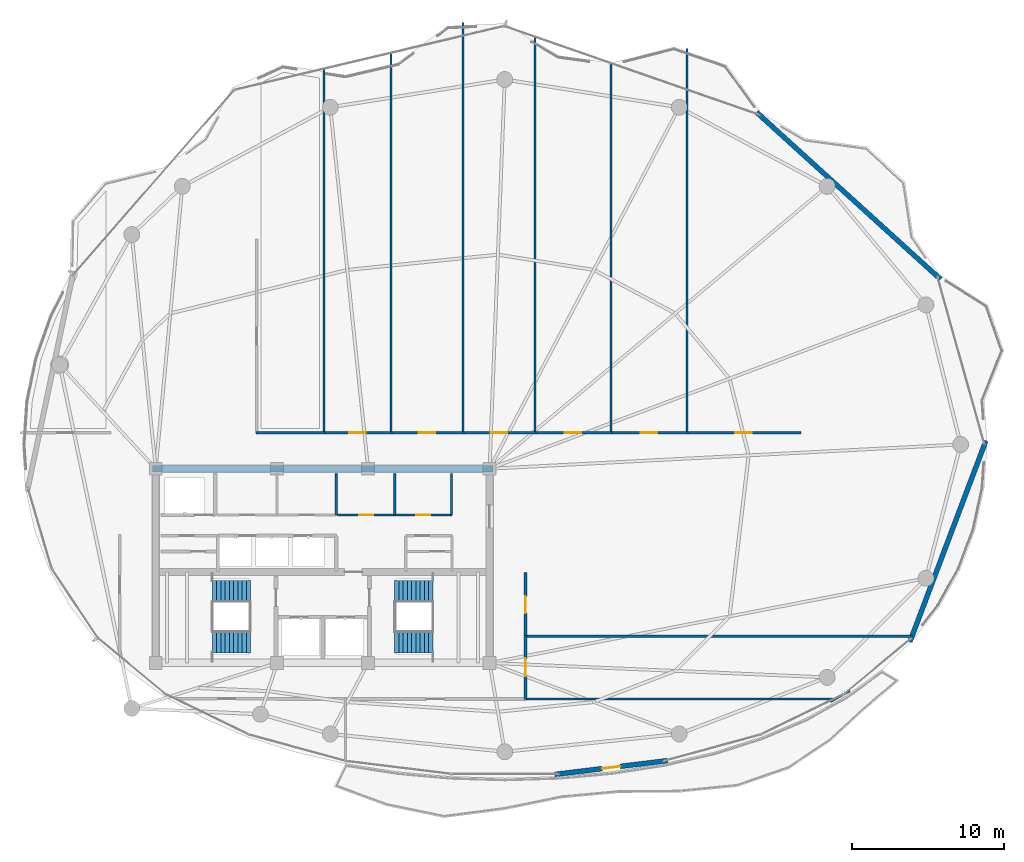
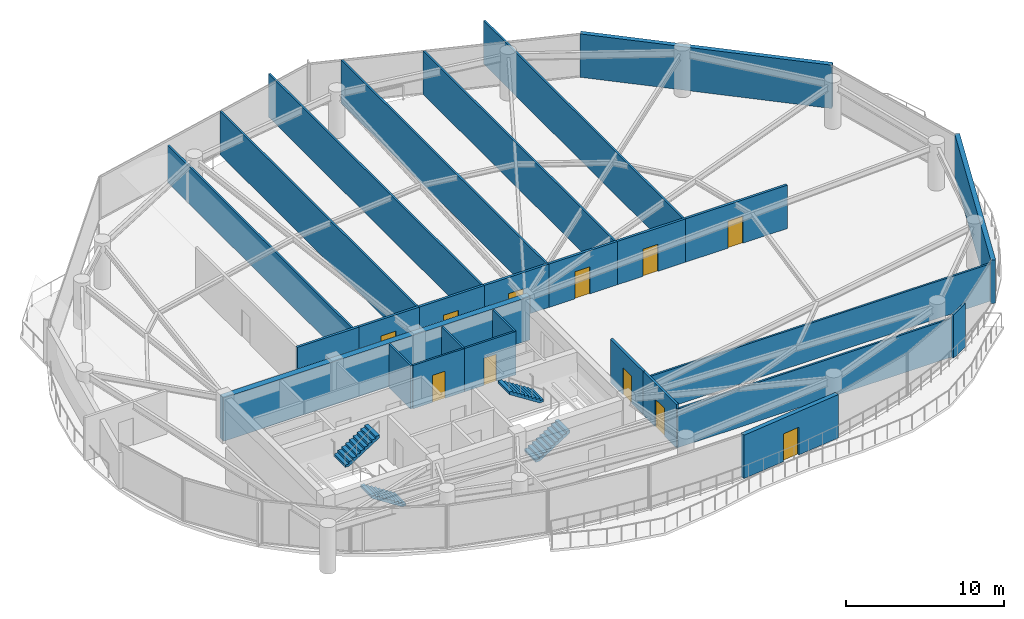
# One storey, part 24 of 28: 27 walls, 11 doors, 4 stair flights, 11 openings, 2 elements without a shape of their own.
"""IFC4 building model written with IfcOpenShell, lengths in metres."""

from ifc_helpers import new_model, si_unit, direction, frame, frame_2d, origin, place, context, subcontext, project, spatial, polyline, rectangle, outline, extrude, material, layer, layer_set, type_object, element, fill, aggregate, save


model = new_model("IFC4")

# Units and contexts
model_context = context("Model", 3, precision=1e-05, world=origin(), true_north=direction((0.0, 1.0)))
body_context = subcontext(model_context, "Body", "Model", "MODEL_VIEW")
ifc_project = project(units=[si_unit("LENGTHUNIT", "METRE"), si_unit("AREAUNIT", "SQUARE_METRE"), si_unit("VOLUMEUNIT", "CUBIC_METRE"), si_unit("PLANEANGLEUNIT", "RADIAN"), si_unit("MASSUNIT", "GRAM", prefix="KILO")], contexts=[model_context])

# Site, building, storey
site_placement = place(None, origin())
site = spatial("IfcSite", under=ifc_project, at=site_placement, CompositionType="ELEMENT")
building_placement = place(site_placement, origin())
building = spatial("IfcBuilding", under=site, at=building_placement, Name="Kazevale Care Tower and Concert Hall", CompositionType="ELEMENT")
storey_placement = place(building_placement, frame((0.0, 0.0, 246.0)))
storey = spatial("IfcBuildingStorey", under=building, at=storey_placement, Name="L65", CompositionType="ELEMENT", Elevation=246.0)

# Wall
ifc_material_1 = material(Name="Acoustic Gypsum on Steel Stud", Category="steel")
ifc_layer_1 = layer(ifc_material_1, 0.139892578125)
ifc_layer_set_1 = layer_set([ifc_layer_1], Name="Acoustic Gypsum on Steel Stud")
wall_type_1 = type_object("IfcWallType", Name="Acoustic Care & Suite Partition 140", PredefinedType="PARTITIONING", material=ifc_layer_set_1)
wall_1_placement = place(storey_placement, frame((33.89990234375, 33.35009765625, 0.0), z_axis=(0.0, 0.0, 1.0), x_axis=(0.0, 1.0, 0.0)))
element("IfcWall", 1, at=wall_1_placement, inside=storey, type_object=wall_type_1, Name="wall:L65:c_rpl_e", PredefinedType="PARTITIONING", context=body_context, shape_type="SweptSolid", body=[
    extrude(rectangle(XDim=2.75, YDim=0.139892578125, at=frame_2d((1.375, 0.0))), origin(), (0.0, 0.0, 1.0), 3.360107421875),
])

# Wall, opening, door
wall_2_placement = place(storey_placement, frame((33.97998046875, 33.35009765625, 0.0), z_axis=(0.0, 0.0, 1.0), x_axis=(1.0, 0.0, 0.0)))
wall_2 = element("IfcWall", 2, at=wall_2_placement, inside=storey, type_object=wall_type_1, Name="wall:L65:c_rpm1_s", PredefinedType="PARTITIONING", context=body_context, shape_type="SweptSolid", body=[
    extrude(rectangle(XDim=3.77001953125, YDim=0.139892578125, at=frame_2d((1.885009765625, 0.0))), origin(), (0.0, 0.0, 1.0), 3.360107421875),
])
opening_1_placement = place(wall_2_placement, frame((1.425048828125, 0.0, 0.0)))
opening_1 = element("IfcOpeningElement", 3, at=opening_1_placement, cuts=wall_2, Name="Opening ID-900", PredefinedType="OPENING", context=body_context, shape_type="SweptSolid", body=[
    extrude(rectangle(XDim=0.919921875, YDim=2.10009765625, at=frame_2d((0.4599609375, 1.050048828125))), frame((0.0, 0.079833984375, 0.0), z_axis=(0.0, -1.0, 0.0), x_axis=(1.0, 0.0, 0.0)), (0.0, 0.0, 1.0), 0.159912109375),
])
ifc_material_2 = material(Name="Oak Timber Fire Leaf", Category="wood")
door_type_1 = type_object("IfcDoorType", Name="Bathroom & Service Door 920x2100", OperationType="NOTDEFINED", PredefinedType="DOOR", material=ifc_material_2)
door_1_placement = place(opening_1_placement, origin())
door_1 = element("IfcDoor", 4, at=door_1_placement, inside=storey, type_object=door_type_1, Name="door:L65:d_rpm1", OperationType="SINGLE_SWING_LEFT", OverallHeight=2.10009765625, OverallWidth=0.919921875, PredefinedType="DOOR", context=body_context, shape_type="SweptSolid", body=[
    extrude(rectangle(XDim=0.919921875, YDim=2.10009765625, at=frame_2d((0.4599609375, 1.050048828125))), frame((0.0, 0.02490234375, 0.0), z_axis=(0.0, -1.0, 0.0), x_axis=(1.0, 0.0, 0.0)), (0.0, 0.0, 1.0), 0.050048828125),
])
fill(opening_1, door_1)

wall_3_placement = place(storey_placement, frame((37.75, 33.35009765625, 0.0), z_axis=(0.0, 0.0, 1.0), x_axis=(1.0, 0.0, 0.0)))
wall_3 = element("IfcWall", 5, at=wall_3_placement, inside=storey, type_object=wall_type_1, Name="wall:L65:c_rpm2_s", PredefinedType="PARTITIONING", context=body_context, shape_type="SweptSolid", body=[
    extrude(rectangle(XDim=3.77001953125, YDim=0.139892578125, at=frame_2d((1.885009765625, 0.0))), origin(), (0.0, 0.0, 1.0), 3.360107421875),
])
opening_2_placement = place(wall_3_placement, frame((1.425048828125, 0.0, 0.0)))
opening_2 = element("IfcOpeningElement", 6, at=opening_2_placement, cuts=wall_3, Name="Opening ID-900", PredefinedType="OPENING", context=body_context, shape_type="SweptSolid", body=[
    extrude(rectangle(XDim=0.919921875, YDim=2.10009765625, at=frame_2d((0.4599609375, 1.050048828125))), frame((0.0, 0.079833984375, 0.0), z_axis=(0.0, -1.0, 0.0), x_axis=(1.0, 0.0, 0.0)), (0.0, 0.0, 1.0), 0.159912109375),
])
door_2_placement = place(opening_2_placement, origin())
door_2 = element("IfcDoor", 7, at=door_2_placement, inside=storey, type_object=door_type_1, Name="door:L65:d_rpm2", OperationType="SINGLE_SWING_RIGHT", OverallHeight=2.10009765625, OverallWidth=0.919921875, PredefinedType="DOOR", context=body_context, shape_type="SweptSolid", body=[
    extrude(rectangle(XDim=0.919921875, YDim=2.10009765625, at=frame_2d((0.4599609375, 1.050048828125))), frame((0.0, 0.02490234375, 0.0), z_axis=(0.0, -1.0, 0.0), x_axis=(1.0, 0.0, 0.0)), (0.0, 0.0, 1.0), 0.050048828125),
])
fill(opening_2, door_2)

# Walls
for number, where, z_axis, x_axis, name in (
    (8, (37.75, 33.35009765625, 0.0), (0.0, 0.0, 1.0), (0.0, 1.0, 0.0), "wall:L65:c_rpm_m"),
    (9, (41.5, 33.35009765625, 0.0), (0.0, 0.0, 1.0), (0.0, 1.0, 0.0), "wall:L65:c_rpm_e"),
):
    element("IfcWall", number, at=place(storey_placement, frame(where, z_axis=z_axis, x_axis=x_axis)), inside=storey, type_object=wall_type_1, Name=name, PredefinedType="PARTITIONING", context=body_context, shape_type="SweptSolid", body=[
        extrude(rectangle(XDim=2.75, YDim=0.139892578125, at=frame_2d((1.375, 0.0))), origin(), (0.0, 0.0, 1.0), 3.360107421875),
    ])
wall_4_placement = place(storey_placement, frame((33.080078125, 62.77197265625, 0.0), z_axis=(0.0, 0.0, 1.0), x_axis=(0.0, -1.0, 0.0)))
element("IfcWall", 10, at=wall_4_placement, inside=storey, type_object=wall_type_1, Name="wall:L65:auto_015", PredefinedType="PARTITIONING", context=body_context, shape_type="SweptSolid", body=[
    extrude(rectangle(XDim=24.02685546875, YDim=0.139892578125, at=frame_2d((12.013427734375, 0.0))), origin(), (0.0, 0.0, 1.0), 2.889892578125),
])
wall_5_placement = place(storey_placement, frame((37.5, 63.792724609375, 0.0), z_axis=(0.0, 0.0, 1.0), x_axis=(0.0, -1.0, 0.0)))
element("IfcWall", 11, at=wall_5_placement, inside=storey, type_object=wall_type_1, Name="wall:L65:auto_016", PredefinedType="PARTITIONING", context=body_context, shape_type="SweptSolid", body=[
    extrude(rectangle(XDim=25.047607421875, YDim=0.139892578125, at=frame_2d((12.52392578125, 0.0))), origin(), (0.0, 0.0, 1.0), 3.360107421875),
])
wall_6_placement = place(storey_placement, frame((42.25, 65.822998046875, 0.0), z_axis=(0.0, 0.0, 1.0), x_axis=(0.0, -1.0, 0.0)))
element("IfcWall", 12, at=wall_6_placement, inside=storey, type_object=wall_type_1, Name="wall:L65:auto_017", PredefinedType="PARTITIONING", context=body_context, shape_type="SweptSolid", body=[
    extrude(rectangle(XDim=27.077880859375, YDim=0.139892578125, at=frame_2d((13.5390625, 0.0))), origin(), (0.0, 0.0, 1.0), 3.360107421875),
])
wall_7_placement = place(storey_placement, frame((47.0, 64.84619140625, 0.0), z_axis=(0.0, 0.0, 1.0), x_axis=(0.0, -1.0, 0.0)))
element("IfcWall", 13, at=wall_7_placement, inside=storey, type_object=wall_type_1, Name="wall:L65:auto_018", PredefinedType="PARTITIONING", context=body_context, shape_type="SweptSolid", body=[
    extrude(rectangle(XDim=26.10107421875, YDim=0.139892578125, at=frame_2d((13.050537109375, 0.0))), origin(), (0.0, 0.0, 1.0), 3.360107421875),
])
wall_8_placement = place(storey_placement, frame((52.0, 63.106689453125, 0.0), z_axis=(0.0, 0.0, 1.0), x_axis=(0.0, -1.0, 0.0)))
element("IfcWall", 14, at=wall_8_placement, inside=storey, type_object=wall_type_1, Name="wall:L65:auto_019", PredefinedType="PARTITIONING", context=body_context, shape_type="SweptSolid", body=[
    extrude(rectangle(XDim=24.361572265625, YDim=0.139892578125, at=frame_2d((12.1806640625, 0.0))), origin(), (0.0, 0.0, 1.0), 3.360107421875),
])
wall_9_placement = place(storey_placement, frame((57.0, 64.092041015625, 0.0), z_axis=(0.0, 0.0, 1.0), x_axis=(0.0, -1.0, 0.0)))
element("IfcWall", 15, at=wall_9_placement, inside=storey, type_object=wall_type_1, Name="wall:L65:auto_020", PredefinedType="PARTITIONING", context=body_context, shape_type="SweptSolid", body=[
    extrude(rectangle(XDim=25.346923828125, YDim=0.139892578125, at=frame_2d((12.67333984375, 0.0))), origin(), (0.0, 0.0, 1.0), 3.360107421875),
])
wall_10_placement = place(storey_placement, frame((46.344970703125, 25.360107421875, 0.0), z_axis=(0.0, 0.0, 1.0), x_axis=(1.0, 0.0, 0.0)))
element("IfcWall", 16, at=wall_10_placement, inside=storey, type_object=wall_type_1, Name="wall:L65:auto_021", PredefinedType="PARTITIONING", context=body_context, shape_type="SweptSolid", body=[
    extrude(rectangle(XDim=25.486083984375, YDim=0.139892578125, at=frame_2d((12.7431640625, 0.0))), origin(), (0.0, 0.0, 1.0), 2.889892578125),
])
wall_11_placement = place(storey_placement, frame((66.683837890625, 21.22509765625, 0.0), z_axis=(0.0, 0.0, 1.0), x_axis=(-1.0, 0.0, 0.0)))
element("IfcWall", 17, at=wall_11_placement, inside=storey, type_object=wall_type_1, Name="wall:L65:auto_022", PredefinedType="PARTITIONING", context=body_context, shape_type="SweptSolid", body=[
    extrude(rectangle(XDim=20.3388671875, YDim=0.139892578125, at=frame_2d((10.16943359375, 0.0))), origin(), (0.0, 0.0, 1.0), 2.99609375),
])
wall_12_placement = place(storey_placement, frame((67.748046875, 21.77001953125, 0.0), z_axis=(0.0, 0.0, 1.0), x_axis=(-0.871352238731, -0.490658003153, 0.0)))
element("IfcWall", 18, at=wall_12_placement, inside=storey, type_object=wall_type_1, Name="wall:L65:auto_023", PredefinedType="PARTITIONING", context=body_context, shape_type="SweptSolid", body=[
    extrude(rectangle(XDim=1.48974609375, YDim=0.139892578125, at=frame_2d((0.744873046875, 0.0))), origin(), (0.0, 0.0, 1.0), 3.360107421875),
])
ifc_material_3 = material(Name="Concrete C50", Category="concrete")
ifc_layer_2 = layer(ifc_material_3, 0.449951171875)
ifc_layer_set_2 = layer_set([ifc_layer_2], Name="Concrete C50")
wall_type_2 = type_object("IfcWallType", Name="Core Shear Wall 450 C50", PredefinedType="SHEAR", material=ifc_layer_set_2)
wall_13_placement = place(storey_placement, frame((21.77490234375, 36.39990234375, 0.0), z_axis=(0.0, 0.0, 1.0), x_axis=(1.0, 0.0, 0.0)))
element("IfcWall", 19, at=wall_13_placement, inside=storey, type_object=wall_type_2, Name="wall:L65:core:N", PredefinedType="SHEAR", context=body_context, shape_type="SweptSolid", body=[
    extrude(rectangle(XDim=22.4501953125, YDim=0.449951171875, at=frame_2d((11.22509765625, 0.0))), origin(), (0.0, 0.0, 1.0), 3.360107421875),
])
ifc_material_4 = material(Name="Concrete C40 and Acoustic Gypsum", Category="concrete")
ifc_layer_3 = layer(ifc_material_4, 0.179931640625)
ifc_layer_set_3 = layer_set([ifc_layer_3], Name="Concrete C40 and Acoustic Gypsum")
wall_type_3 = type_object("IfcWallType", Name="Fire-Rated Corridor & Party Wall 180", PredefinedType="PARTITIONING", material=ifc_layer_set_3)
wall_14_placement = place(storey_placement, frame((28.6201171875, 38.77490234375, 0.0), z_axis=(0.0, 0.0, 1.0), x_axis=(1.0, 0.0, 0.0)))
element("IfcWall", 20, at=wall_14_placement, inside=storey, type_object=wall_type_3, Name="wall:L65:auto_003", PredefinedType="PARTITIONING", context=body_context, shape_type="SweptSolid", body=[
    extrude(rectangle(XDim=4.52490234375, YDim=0.179931640625, at=frame_2d((2.262451171875, 0.0))), origin(), (0.0, 0.0, 1.0), 3.360107421875),
])

# Wall, opening, door
wall_15_placement = place(storey_placement, frame((33.014892578125, 38.77490234375, 0.0), z_axis=(0.0, 0.0, 1.0), x_axis=(1.0, 0.0, 0.0)))
wall_15 = element("IfcWall", 21, at=wall_15_placement, inside=storey, type_object=wall_type_3, Name="wall:L65:auto_004", PredefinedType="PARTITIONING", context=body_context, shape_type="SweptSolid", body=[
    extrude(rectangle(XDim=4.550048828125, YDim=0.179931640625, at=frame_2d((2.27490234375, 0.0))), origin(), (0.0, 0.0, 1.0), 3.360107421875),
])
opening_3_placement = place(wall_15_placement, frame((1.72509765625, 0.0, 0.0)))
opening_3 = element("IfcOpeningElement", 22, at=opening_3_placement, cuts=wall_15, Name="Opening ID-1100", PredefinedType="OPENING", context=body_context, shape_type="SweptSolid", body=[
    extrude(rectangle(XDim=1.10009765625, YDim=2.10009765625, at=frame_2d((0.550048828125, 1.050048828125))), frame((0.0, 0.099853515625, 0.0), z_axis=(0.0, -1.0, 0.0), x_axis=(1.0, 0.0, 0.0)), (0.0, 0.0, 1.0), 0.199951171875),
])
door_type_2 = type_object("IfcDoorType", Name="Care Bedroom Accessible Door 1100x2100", OperationType="NOTDEFINED", PredefinedType="DOOR", material=ifc_material_2)
door_3_placement = place(opening_3_placement, origin())
door_3 = element("IfcDoor", 23, at=door_3_placement, inside=storey, type_object=door_type_2, Name="door:L65:ad_004", OperationType="SINGLE_SWING_LEFT", OverallHeight=2.10009765625, OverallWidth=1.10009765625, PredefinedType="DOOR", context=body_context, shape_type="SweptSolid", body=[
    extrude(rectangle(XDim=1.10009765625, YDim=2.10009765625, at=frame_2d((0.550048828125, 1.050048828125))), frame((0.0, 0.02490234375, 0.0), z_axis=(0.0, -1.0, 0.0), x_axis=(1.0, 0.0, 0.0)), (0.0, 0.0, 1.0), 0.050048828125),
])
fill(opening_3, door_3)

wall_16_placement = place(storey_placement, frame((37.43505859375, 38.77490234375, 0.0), z_axis=(0.0, 0.0, 1.0), x_axis=(1.0, 0.0, 0.0)))
wall_16 = element("IfcWall", 24, at=wall_16_placement, inside=storey, type_object=wall_type_3, Name="wall:L65:auto_005", PredefinedType="PARTITIONING", context=body_context, shape_type="SweptSolid", body=[
    extrude(rectangle(XDim=4.8798828125, YDim=0.179931640625, at=frame_2d((2.43994140625, 0.0))), origin(), (0.0, 0.0, 1.0), 3.360107421875),
])
opening_4_placement = place(wall_16_placement, frame((1.889892578125, 0.0, 0.0)))
opening_4 = element("IfcOpeningElement", 25, at=opening_4_placement, cuts=wall_16, Name="Opening ID-1100", PredefinedType="OPENING", context=body_context, shape_type="SweptSolid", body=[
    extrude(rectangle(XDim=1.10009765625, YDim=2.10009765625, at=frame_2d((0.550048828125, 1.050048828125))), frame((0.0, 0.099853515625, 0.0), z_axis=(0.0, -1.0, 0.0), x_axis=(1.0, 0.0, 0.0)), (0.0, 0.0, 1.0), 0.199951171875),
])
door_4_placement = place(opening_4_placement, origin())
door_4 = element("IfcDoor", 26, at=door_4_placement, inside=storey, type_object=door_type_2, Name="door:L65:ad_005", OperationType="SINGLE_SWING_LEFT", OverallHeight=2.10009765625, OverallWidth=1.10009765625, PredefinedType="DOOR", context=body_context, shape_type="SweptSolid", body=[
    extrude(rectangle(XDim=1.10009765625, YDim=2.10009765625, at=frame_2d((0.550048828125, 1.050048828125))), frame((0.0, 0.02490234375, 0.0), z_axis=(0.0, -1.0, 0.0), x_axis=(1.0, 0.0, 0.0)), (0.0, 0.0, 1.0), 0.050048828125),
])
fill(opening_4, door_4)

wall_17_placement = place(storey_placement, frame((42.18505859375, 38.77490234375, 0.0), z_axis=(0.0, 0.0, 1.0), x_axis=(1.0, 0.0, 0.0)))
wall_17 = element("IfcWall", 27, at=wall_17_placement, inside=storey, type_object=wall_type_3, Name="wall:L65:auto_006", PredefinedType="PARTITIONING", context=body_context, shape_type="SweptSolid", body=[
    extrude(rectangle(XDim=4.8798828125, YDim=0.179931640625, at=frame_2d((2.43994140625, 0.0))), origin(), (0.0, 0.0, 1.0), 3.360107421875),
])
opening_5_placement = place(wall_17_placement, frame((1.889892578125, 0.0, 0.0)))
opening_5 = element("IfcOpeningElement", 28, at=opening_5_placement, cuts=wall_17, Name="Opening ID-1100", PredefinedType="OPENING", context=body_context, shape_type="SweptSolid", body=[
    extrude(rectangle(XDim=1.10009765625, YDim=2.10009765625, at=frame_2d((0.550048828125, 1.050048828125))), frame((0.0, 0.099853515625, 0.0), z_axis=(0.0, -1.0, 0.0), x_axis=(1.0, 0.0, 0.0)), (0.0, 0.0, 1.0), 0.199951171875),
])
door_5_placement = place(opening_5_placement, origin())
door_5 = element("IfcDoor", 29, at=door_5_placement, inside=storey, type_object=door_type_2, Name="door:L65:ad_006", OperationType="SINGLE_SWING_LEFT", OverallHeight=2.10009765625, OverallWidth=1.10009765625, PredefinedType="DOOR", context=body_context, shape_type="SweptSolid", body=[
    extrude(rectangle(XDim=1.10009765625, YDim=2.10009765625, at=frame_2d((0.550048828125, 1.050048828125))), frame((0.0, 0.02490234375, 0.0), z_axis=(0.0, -1.0, 0.0), x_axis=(1.0, 0.0, 0.0)), (0.0, 0.0, 1.0), 0.050048828125),
])
fill(opening_5, door_5)

wall_18_placement = place(storey_placement, frame((46.93505859375, 38.77490234375, 0.0), z_axis=(0.0, 0.0, 1.0), x_axis=(1.0, 0.0, 0.0)))
wall_18 = element("IfcWall", 30, at=wall_18_placement, inside=storey, type_object=wall_type_3, Name="wall:L65:auto_007", PredefinedType="PARTITIONING", context=body_context, shape_type="SweptSolid", body=[
    extrude(rectangle(XDim=5.1298828125, YDim=0.179931640625, at=frame_2d((2.56494140625, 0.0))), origin(), (0.0, 0.0, 1.0), 3.360107421875),
])
opening_6_placement = place(wall_18_placement, frame((2.014892578125, 0.0, 0.0)))
opening_6 = element("IfcOpeningElement", 31, at=opening_6_placement, cuts=wall_18, Name="Opening ID-1100", PredefinedType="OPENING", context=body_context, shape_type="SweptSolid", body=[
    extrude(rectangle(XDim=1.10009765625, YDim=2.10009765625, at=frame_2d((0.550048828125, 1.050048828125))), frame((0.0, 0.099853515625, 0.0), z_axis=(0.0, -1.0, 0.0), x_axis=(1.0, 0.0, 0.0)), (0.0, 0.0, 1.0), 0.199951171875),
])
door_6_placement = place(opening_6_placement, origin())
door_6 = element("IfcDoor", 32, at=door_6_placement, inside=storey, type_object=door_type_2, Name="door:L65:ad_007", OperationType="SINGLE_SWING_LEFT", OverallHeight=2.10009765625, OverallWidth=1.10009765625, PredefinedType="DOOR", context=body_context, shape_type="SweptSolid", body=[
    extrude(rectangle(XDim=1.10009765625, YDim=2.10009765625, at=frame_2d((0.550048828125, 1.050048828125))), frame((0.0, 0.02490234375, 0.0), z_axis=(0.0, -1.0, 0.0), x_axis=(1.0, 0.0, 0.0)), (0.0, 0.0, 1.0), 0.050048828125),
])
fill(opening_6, door_6)

wall_19_placement = place(storey_placement, frame((51.93505859375, 38.77490234375, 0.0), z_axis=(0.0, 0.0, 1.0), x_axis=(1.0, 0.0, 0.0)))
wall_19 = element("IfcWall", 33, at=wall_19_placement, inside=storey, type_object=wall_type_3, Name="wall:L65:auto_008", PredefinedType="PARTITIONING", context=body_context, shape_type="SweptSolid", body=[
    extrude(rectangle(XDim=5.1298828125, YDim=0.179931640625, at=frame_2d((2.56494140625, 0.0))), origin(), (0.0, 0.0, 1.0), 3.360107421875),
])
opening_7_placement = place(wall_19_placement, frame((2.014892578125, 0.0, 0.0)))
opening_7 = element("IfcOpeningElement", 34, at=opening_7_placement, cuts=wall_19, Name="Opening ID-1100", PredefinedType="OPENING", context=body_context, shape_type="SweptSolid", body=[
    extrude(rectangle(XDim=1.10009765625, YDim=2.10009765625, at=frame_2d((0.550048828125, 1.050048828125))), frame((0.0, 0.099853515625, 0.0), z_axis=(0.0, -1.0, 0.0), x_axis=(1.0, 0.0, 0.0)), (0.0, 0.0, 1.0), 0.199951171875),
])
door_7_placement = place(opening_7_placement, origin())
door_7 = element("IfcDoor", 35, at=door_7_placement, inside=storey, type_object=door_type_2, Name="door:L65:ad_008", OperationType="SINGLE_SWING_LEFT", OverallHeight=2.10009765625, OverallWidth=1.10009765625, PredefinedType="DOOR", context=body_context, shape_type="SweptSolid", body=[
    extrude(rectangle(XDim=1.10009765625, YDim=2.10009765625, at=frame_2d((0.550048828125, 1.050048828125))), frame((0.0, 0.02490234375, 0.0), z_axis=(0.0, -1.0, 0.0), x_axis=(1.0, 0.0, 0.0)), (0.0, 0.0, 1.0), 0.050048828125),
])
fill(opening_7, door_7)

wall_20_placement = place(storey_placement, frame((56.93505859375, 38.77490234375, 0.0), z_axis=(0.0, 0.0, 1.0), x_axis=(1.0, 0.0, 0.0)))
wall_20 = element("IfcWall", 36, at=wall_20_placement, inside=storey, type_object=wall_type_3, Name="wall:L65:auto_009", PredefinedType="PARTITIONING", context=body_context, shape_type="SweptSolid", body=[
    extrude(rectangle(XDim=7.594970703125, YDim=0.179931640625, at=frame_2d((3.79736328125, 0.0))), origin(), (0.0, 0.0, 1.0), 3.360107421875),
])
opening_8_placement = place(wall_20_placement, frame((3.2470703125, 0.0, 0.0)))
opening_8 = element("IfcOpeningElement", 37, at=opening_8_placement, cuts=wall_20, Name="Opening ID-1100", PredefinedType="OPENING", context=body_context, shape_type="SweptSolid", body=[
    extrude(rectangle(XDim=1.10009765625, YDim=2.10009765625, at=frame_2d((0.550048828125, 1.050048828125))), frame((0.0, 0.099853515625, 0.0), z_axis=(0.0, -1.0, 0.0), x_axis=(1.0, 0.0, 0.0)), (0.0, 0.0, 1.0), 0.199951171875),
])
door_8_placement = place(opening_8_placement, origin())
door_8 = element("IfcDoor", 38, at=door_8_placement, inside=storey, type_object=door_type_2, Name="door:L65:ad_009", OperationType="SINGLE_SWING_LEFT", OverallHeight=2.10009765625, OverallWidth=1.10009765625, PredefinedType="DOOR", context=body_context, shape_type="SweptSolid", body=[
    extrude(rectangle(XDim=1.10009765625, YDim=2.10009765625, at=frame_2d((0.550048828125, 1.050048828125))), frame((0.0, 0.02490234375, 0.0), z_axis=(0.0, -1.0, 0.0), x_axis=(1.0, 0.0, 0.0)), (0.0, 0.0, 1.0), 0.050048828125),
])
fill(opening_8, door_8)

wall_21_placement = place(storey_placement, frame((46.375, 25.425048828125, 0.0), z_axis=(0.0, 0.0, 1.0), x_axis=(0.0, -1.0, 0.0)))
wall_21 = element("IfcWall", 39, at=wall_21_placement, inside=storey, type_object=wall_type_3, Name="wall:L65:auto_010", PredefinedType="PARTITIONING", context=body_context, shape_type="SweptSolid", body=[
    extrude(rectangle(XDim=4.22998046875, YDim=0.179931640625, at=frame_2d((2.114990234375, 0.0))), origin(), (0.0, 0.0, 1.0), 3.360107421875),
])
opening_9_placement = place(wall_21_placement, frame((1.514892578125, 0.0, 0.0)))
opening_9 = element("IfcOpeningElement", 40, at=opening_9_placement, cuts=wall_21, Name="Opening ID-1200", PredefinedType="OPENING", context=body_context, shape_type="SweptSolid", body=[
    extrude(rectangle(XDim=1.199951171875, YDim=2.14990234375, at=frame_2d((0.60009765625, 1.074951171875))), frame((0.0, 0.099853515625, 0.0), z_axis=(0.0, -1.0, 0.0), x_axis=(1.0, 0.0, 0.0)), (0.0, 0.0, 1.0), 0.199951171875),
])
door_type_3 = type_object("IfcDoorType", Name="Clinical & Therapy Door 1200x2150", OperationType="NOTDEFINED", PredefinedType="DOOR", material=ifc_material_2)
door_9_placement = place(opening_9_placement, origin())
door_9 = element("IfcDoor", 41, at=door_9_placement, inside=storey, type_object=door_type_3, Name="door:L65:ad_010", OperationType="SINGLE_SWING_LEFT", OverallHeight=2.14990234375, OverallWidth=1.199951171875, PredefinedType="DOOR", context=body_context, shape_type="SweptSolid", body=[
    extrude(rectangle(XDim=1.199951171875, YDim=2.14990234375, at=frame_2d((0.60009765625, 1.074951171875))), frame((0.0, 0.02490234375, 0.0), z_axis=(0.0, -1.0, 0.0), x_axis=(1.0, 0.0, 0.0)), (0.0, 0.0, 1.0), 0.050048828125),
])
fill(opening_9, door_9)

wall_22_placement = place(storey_placement, frame((46.375, 29.56494140625, 0.0), z_axis=(0.0, 0.0, 1.0), x_axis=(0.0, -1.0, 0.0)))
wall_22 = element("IfcWall", 42, at=wall_22_placement, inside=storey, type_object=wall_type_3, Name="wall:L65:auto_011", PredefinedType="PARTITIONING", context=body_context, shape_type="SweptSolid", body=[
    extrude(rectangle(XDim=4.27001953125, YDim=0.179931640625, at=frame_2d((2.135009765625, 0.0))), origin(), (0.0, 0.0, 1.0), 3.360107421875),
])
opening_10_placement = place(wall_22_placement, frame((1.5849609375, 0.0, 0.0)))
opening_10 = element("IfcOpeningElement", 43, at=opening_10_placement, cuts=wall_22, Name="Opening ID-1100", PredefinedType="OPENING", context=body_context, shape_type="SweptSolid", body=[
    extrude(rectangle(XDim=1.10009765625, YDim=2.10009765625, at=frame_2d((0.550048828125, 1.050048828125))), frame((0.0, 0.099853515625, 0.0), z_axis=(0.0, -1.0, 0.0), x_axis=(1.0, 0.0, 0.0)), (0.0, 0.0, 1.0), 0.199951171875),
])
door_10_placement = place(opening_10_placement, origin())
door_10 = element("IfcDoor", 44, at=door_10_placement, inside=storey, type_object=door_type_2, Name="door:L65:ad_011", OperationType="SINGLE_SWING_LEFT", OverallHeight=2.10009765625, OverallWidth=1.10009765625, PredefinedType="DOOR", context=body_context, shape_type="SweptSolid", body=[
    extrude(rectangle(XDim=1.10009765625, YDim=2.10009765625, at=frame_2d((0.550048828125, 1.050048828125))), frame((0.0, 0.02490234375, 0.0), z_axis=(0.0, -1.0, 0.0), x_axis=(1.0, 0.0, 0.0)), (0.0, 0.0, 1.0), 0.050048828125),
])
fill(opening_10, door_10)

# Wall
ifc_material_5 = material(Name="Concrete C40 with Honed Limestone Cladding", Category="masonry")
ifc_layer_4 = layer(ifc_material_5, 0.320068359375)
ifc_layer_set_4 = layer_set([ifc_layer_4], Name="Concrete C40 with Honed Limestone Cladding")
wall_type_4 = type_object("IfcWallType", Name="Tower Honed Limestone Spandrel Wall 320", PredefinedType="STANDARD", material=ifc_layer_set_4)
wall_23_placement = place(storey_placement, frame((76.7119140625, 38.242919921875, 0.0), z_axis=(0.0, 0.0, 1.0), x_axis=(-0.353659523244, -0.935374225441, 0.0)))
element("IfcWall", 45, at=wall_23_placement, inside=storey, type_object=wall_type_4, Name="wall:cw:L65:f01", PredefinedType="STANDARD", context=body_context, shape_type="SweptSolid", body=[
    extrude(rectangle(XDim=14.171630859375, YDim=0.320068359375, at=frame_2d((7.0859375, 0.0))), origin(), (0.0, 0.0, 1.0), 3.360107421875),
])

# Wall, opening, door
wall_24_placement = place(storey_placement, frame((55.72705078125, 17.1650390625, 0.0), z_axis=(0.0, 0.0, 1.0), x_axis=(-0.992559081031, -0.121763995755, 0.0)))
wall_24 = element("IfcWall", 46, at=wall_24_placement, inside=storey, type_object=wall_type_4, Name="wall:L65:bal_host", PredefinedType="STANDARD", context=body_context, shape_type="SweptSolid", body=[
    extrude(rectangle(XDim=7.49072265625, YDim=0.320068359375, at=frame_2d((3.745361328125, 0.0))), origin(), (0.0, 0.0, 1.0), 3.360107421875),
])
opening_11_placement = place(wall_24_placement, frame((3.14501953125, 0.0, 0.0)))
opening_11 = element("IfcOpeningElement", 47, at=opening_11_placement, cuts=wall_24, Name="Opening BD-1200", PredefinedType="OPENING", context=body_context, shape_type="SweptSolid", body=[
    extrude(rectangle(XDim=1.199951171875, YDim=2.14990234375, at=frame_2d((0.60009765625, 1.074951171875))), frame((0.0, 0.169921875, 0.0), z_axis=(0.0, -1.0, 0.0), x_axis=(1.0, 0.0, 0.0)), (0.0, 0.0, 1.0), 0.340087890625),
])
ifc_material_6 = material(Name="Aluminium 6063-T6 and Low-E Glass", Category="aluminium")
door_type_4 = type_object("IfcDoorType", Name="Sheltered Balcony Glazed Door 1200x2150", OperationType="NOTDEFINED", PredefinedType="DOOR", material=ifc_material_6)
door_11_placement = place(opening_11_placement, origin())
door_11 = element("IfcDoor", 48, at=door_11_placement, inside=storey, type_object=door_type_4, Name="door:L65:BD-1", OperationType="SINGLE_SWING_LEFT", OverallHeight=2.14990234375, OverallWidth=1.199951171875, PredefinedType="DOOR", context=body_context, shape_type="SweptSolid", body=[
    extrude(rectangle(XDim=1.199951171875, YDim=2.14990234375, at=frame_2d((0.60009765625, 1.074951171875))), frame((0.0, 0.02490234375, 0.0), z_axis=(0.0, -1.0, 0.0), x_axis=(1.0, 0.0, 0.0)), (0.0, 0.0, 1.0), 0.050048828125),
])
fill(opening_11, door_11)

# Wall
wall_25_placement = place(storey_placement, frame((61.60205078125, 59.884033203125, 0.0), z_axis=(0.0, 0.0, 1.0), x_axis=(0.740416582554, -0.672148260638, 0.0)))
element("IfcWall", 49, at=wall_25_placement, inside=storey, type_object=wall_type_4, Name="wall:cw:L65:f17", PredefinedType="STANDARD", context=body_context, shape_type="SweptSolid", body=[
    extrude(rectangle(XDim=16.361083984375, YDim=0.320068359375, at=frame_2d((8.1806640625, 0.0))), origin(), (0.0, 0.0, 1.0), 3.360107421875),
])

# Stair, stair flights
ifc_material_7 = material(Name="Concrete C40", Category="concrete")
stair_type = type_object("IfcStairType", Name="Exit Stair Assembly ST1-Z3", PredefinedType="HALF_TURN_STAIR", material=ifc_material_7)
stair_1_placement = place(storey_placement, origin())
stair_1 = element("IfcStair", 50, at=stair_1_placement, inside=storey, type_object=stair_type, Name="stair:L65:ST1", PredefinedType="HALF_TURN_STAIR")
ifc_layer_5 = layer(ifc_material_7, 0.159912109375)
ifc_layer_set_5 = layer_set([ifc_layer_5], Name="Concrete C40")
stair_flight_type = type_object("IfcStairFlightType", Name="Exit Stair Flight ST1-Z3", PredefinedType="STRAIGHT", material=ifc_layer_set_5)
stair_flight_1_placement = place(storey_placement, frame((28.25, 24.97509765625, 0.0), z_axis=(0.0, 0.0, 1.0), x_axis=(-1.0, 0.0, 0.0)))
stair_flight_1 = element("IfcStairFlight", 51, at=stair_flight_1_placement, type_object=stair_flight_type, Name="ST1-Z3 flight 1", NumberOfRisers=10, NumberOfTreads=9, PredefinedType="STRAIGHT", RiserHeight=0.18, TreadLength=0.28, context=body_context, shape_type="SweptSolid", body=[
    extrude(outline(polyline([(0.0, 0.0), (0.0, 0.179931640625), (0.280029296875, 0.179931640625), (0.280029296875, 0.360107421875), (0.56005859375, 0.360107421875), (0.56005859375, 0.5400390625), (0.840087890625, 0.5400390625), (0.840087890625, 0.719970703125), (1.1201171875, 0.719970703125), (1.1201171875, 0.89990234375), (1.39990234375, 0.89990234375), (1.39990234375, 1.080078125), (1.679931640625, 1.080078125), (1.679931640625, 1.260009765625), (1.9599609375, 1.260009765625), (1.9599609375, 1.43994140625), (2.239990234375, 1.43994140625), (2.239990234375, 1.6201171875), (2.52001953125, 1.6201171875), (2.52001953125, 1.800048828125), (2.52001953125, 1.429931640625), (0.295654296875, 0.0), (0.0, 0.0)])), frame((0.0, 0.72509765625, 0.0), z_axis=(0.0, -1.0, 0.0), x_axis=(1.0, 0.0, 0.0)), (0.0, 0.0, 1.0), 1.449951171875),
])
stair_flight_2_placement = place(storey_placement, frame((25.72998046875, 28.324951171875, 1.800048828125), z_axis=(0.0, 0.0, 1.0), x_axis=(1.0, 0.0, 0.0)))
stair_flight_2 = element("IfcStairFlight", 52, at=stair_flight_2_placement, type_object=stair_flight_type, Name="ST1-Z3 flight 2", NumberOfRisers=10, NumberOfTreads=9, PredefinedType="STRAIGHT", RiserHeight=0.18, TreadLength=0.28, context=body_context, shape_type="SweptSolid", body=[
    extrude(outline(polyline([(0.0, 0.0), (0.0, 0.179931640625), (0.280029296875, 0.179931640625), (0.280029296875, 0.360107421875), (0.56005859375, 0.360107421875), (0.56005859375, 0.5400390625), (0.840087890625, 0.5400390625), (0.840087890625, 0.719970703125), (1.1201171875, 0.719970703125), (1.1201171875, 0.89990234375), (1.39990234375, 0.89990234375), (1.39990234375, 1.080078125), (1.679931640625, 1.080078125), (1.679931640625, 1.260009765625), (1.9599609375, 1.260009765625), (1.9599609375, 1.43994140625), (2.239990234375, 1.43994140625), (2.239990234375, 1.6201171875), (2.52001953125, 1.6201171875), (2.52001953125, 1.800048828125), (2.52001953125, 1.429931640625), (0.295654296875, 0.0), (0.0, 0.0)])), frame((0.0, 0.72509765625, 0.0), z_axis=(0.0, -1.0, 0.0), x_axis=(1.0, 0.0, 0.0)), (0.0, 0.0, 1.0), 1.449951171875),
])
aggregate(stair_1, [stair_flight_1, stair_flight_2])

stair_2_placement = place(storey_placement, origin())
stair_2 = element("IfcStair", 53, at=stair_2_placement, inside=storey, type_object=stair_type, Name="stair:L65:ST2", PredefinedType="HALF_TURN_STAIR")
stair_flight_3_placement = place(storey_placement, frame((37.75, 24.97509765625, 0.0), z_axis=(0.0, 0.0, 1.0), x_axis=(1.0, 0.0, 0.0)))
stair_flight_3 = element("IfcStairFlight", 54, at=stair_flight_3_placement, type_object=stair_flight_type, Name="ST1-Z3 flight 1", NumberOfRisers=10, NumberOfTreads=9, PredefinedType="STRAIGHT", RiserHeight=0.18, TreadLength=0.28, context=body_context, shape_type="SweptSolid", body=[
    extrude(outline(polyline([(0.0, 0.0), (0.0, 0.179931640625), (0.280029296875, 0.179931640625), (0.280029296875, 0.360107421875), (0.56005859375, 0.360107421875), (0.56005859375, 0.5400390625), (0.840087890625, 0.5400390625), (0.840087890625, 0.719970703125), (1.1201171875, 0.719970703125), (1.1201171875, 0.89990234375), (1.39990234375, 0.89990234375), (1.39990234375, 1.080078125), (1.679931640625, 1.080078125), (1.679931640625, 1.260009765625), (1.9599609375, 1.260009765625), (1.9599609375, 1.43994140625), (2.239990234375, 1.43994140625), (2.239990234375, 1.6201171875), (2.52001953125, 1.6201171875), (2.52001953125, 1.800048828125), (2.52001953125, 1.429931640625), (0.295654296875, 0.0), (0.0, 0.0)])), frame((0.0, 0.72509765625, 0.0), z_axis=(0.0, -1.0, 0.0), x_axis=(1.0, 0.0, 0.0)), (0.0, 0.0, 1.0), 1.449951171875),
])
stair_flight_4_placement = place(storey_placement, frame((40.27001953125, 28.324951171875, 1.800048828125), z_axis=(0.0, 0.0, 1.0), x_axis=(-1.0, 0.0, 0.0)))
stair_flight_4 = element("IfcStairFlight", 55, at=stair_flight_4_placement, type_object=stair_flight_type, Name="ST1-Z3 flight 2", NumberOfRisers=10, NumberOfTreads=9, PredefinedType="STRAIGHT", RiserHeight=0.18, TreadLength=0.28, context=body_context, shape_type="SweptSolid", body=[
    extrude(outline(polyline([(0.0, 0.0), (0.0, 0.179931640625), (0.280029296875, 0.179931640625), (0.280029296875, 0.360107421875), (0.56005859375, 0.360107421875), (0.56005859375, 0.5400390625), (0.840087890625, 0.5400390625), (0.840087890625, 0.719970703125), (1.1201171875, 0.719970703125), (1.1201171875, 0.89990234375), (1.39990234375, 0.89990234375), (1.39990234375, 1.080078125), (1.679931640625, 1.080078125), (1.679931640625, 1.260009765625), (1.9599609375, 1.260009765625), (1.9599609375, 1.43994140625), (2.239990234375, 1.43994140625), (2.239990234375, 1.6201171875), (2.52001953125, 1.6201171875), (2.52001953125, 1.800048828125), (2.52001953125, 1.429931640625), (0.295654296875, 0.0), (0.0, 0.0)])), frame((0.0, 0.72509765625, 0.0), z_axis=(0.0, -1.0, 0.0), x_axis=(1.0, 0.0, 0.0)), (0.0, 0.0, 1.0), 1.449951171875),
])
aggregate(stair_2, [stair_flight_3, stair_flight_4])

save(model, "model.ifc")
